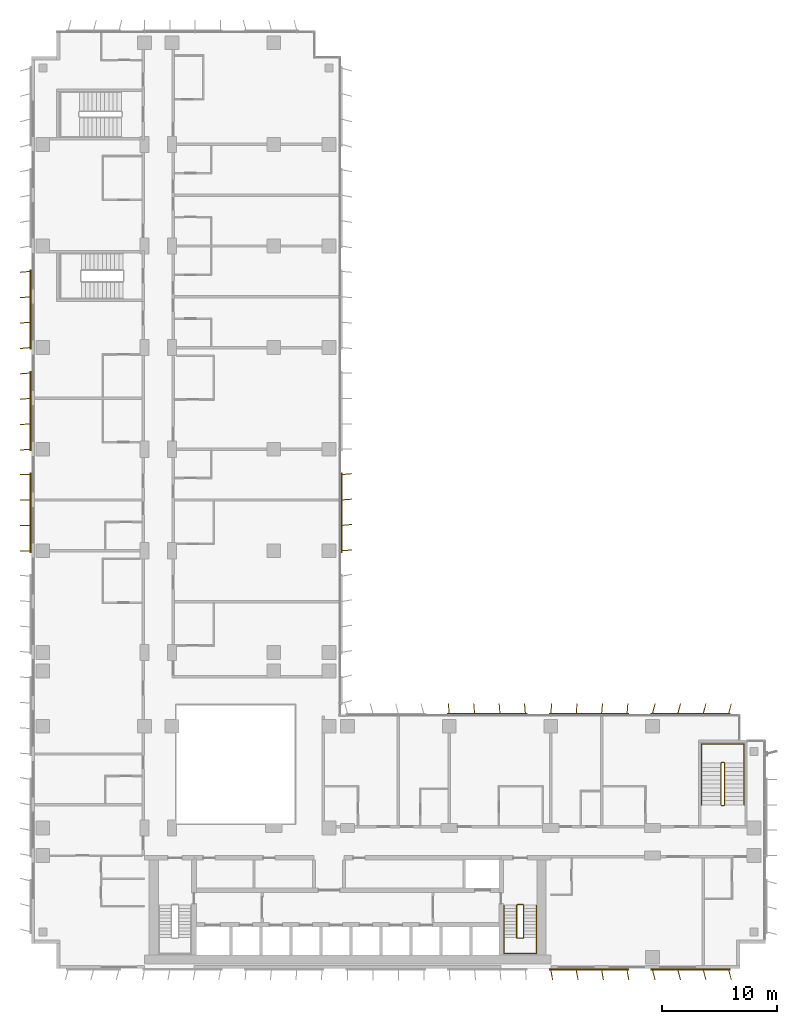
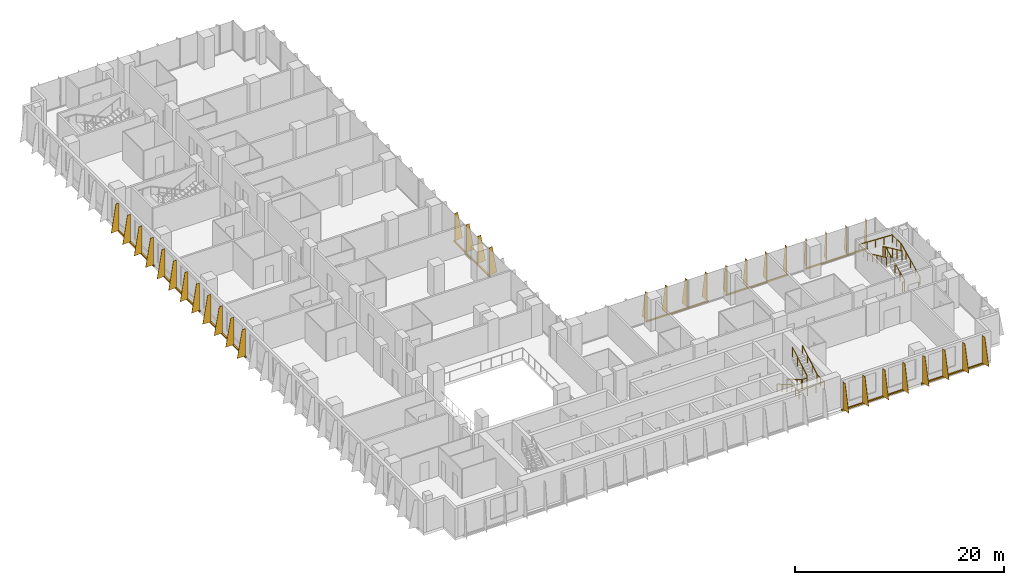
# One storey, part 20 of 22: 9 shading devices, 4 railings.
"""IFC4 building model written with IfcOpenShell, lengths in metres."""

from ifc_helpers import new_model, si_unit, direction, frame, origin, origin_2d, place, context, subcontext, project, spatial, polyline, rectangle, circle, outline, extrude, source, transform, mapped, material, layer, layer_set, type_object, element, save


model = new_model("IFC4")

# Units and contexts
model_context = context("Model", 3, precision=1e-05, world=origin(), true_north=direction((0.0, 1.0)))
body_context = subcontext(model_context, "Body", "Model", "MODEL_VIEW")
ifc_project = project(units=[si_unit("LENGTHUNIT", "METRE"), si_unit("AREAUNIT", "SQUARE_METRE"), si_unit("VOLUMEUNIT", "CUBIC_METRE"), si_unit("PLANEANGLEUNIT", "RADIAN"), si_unit("MASSUNIT", "GRAM", prefix="KILO")], contexts=[model_context])

# Site, building, storey
site_placement = place(None, origin())
site = spatial("IfcSite", under=ifc_project, at=site_placement, CompositionType="ELEMENT")
building_placement = place(site_placement, origin())
building = spatial("IfcBuilding", under=site, at=building_placement, Name="Kemantara Hotel Tower", CompositionType="ELEMENT")
storey_placement = place(building_placement, frame((0.0, 0.0, 90.800048828125)))
storey = spatial("IfcBuildingStorey", under=building, at=storey_placement, Name="L21", CompositionType="ELEMENT", Elevation=90.800048828125)

# Railings
ifc_material_1 = material(Name="Stainless steel balustrade", Category="steel")
railing_type_1 = type_object("IfcRailingType", Name="Stair guard 1100 mm", PredefinedType="GUARDRAIL", material=ifc_material_1)
railing_1_placement = place(storey_placement, frame((42.64990234375, 5.5, 3.699951171875)))
element("IfcRailing", 1, at=railing_1_placement, inside=storey, type_object=railing_type_1, Name="L21 ST2 stair guard 1", PredefinedType="GUARDRAIL", context=body_context, shape_type="SweptSolid", body=[
    extrude(circle(Radius=0.02392578125, at=origin_2d()), frame((0.0, 0.0, 1.076171875), z_axis=(0.0, -0.857242210791, -0.514913383045), x_axis=(1.0, 0.0, 0.0)), (0.0, 0.0, 1.0), 3.266357421875),
    extrude(circle(Radius=0.02392578125, at=origin_2d()), frame((0.0, -2.800048828125, -0.60595703125), z_axis=(-0.273006030465, -0.27434429532, -0.922064485248), x_axis=(0.708833529934, -0.705375805398, 0.0)), (0.0, 0.0, 1.0), 0.182373046875),
    extrude(circle(Radius=0.02392578125, at=origin_2d()), frame((-0.0498046875, -2.85009765625, -0.77392578125), z_axis=(-1.0, 0.0, 0.0), x_axis=(0.0, -1.0, 0.0)), (0.0, 0.0, 1.0), 0.5),
    extrude(circle(Radius=0.02392578125, at=origin_2d()), frame((-0.5498046875, -2.85009765625, -0.77392578125), z_axis=(-0.707106781187, 0.707106781187, 0.0), x_axis=(-0.707106781187, -0.707106781187, 0.0)), (0.0, 0.0, 1.0), 0.07080078125),
    extrude(circle(Radius=0.02392578125, at=origin_2d()), frame((-0.599853515625, -2.800048828125, -0.77392578125), z_axis=(0.0, 0.857275202839, -0.514858452973), x_axis=(-1.0, 0.0, 0.0)), (0.0, 0.0, 1.0), 3.26611328125),
    extrude(circle(Radius=0.02392578125, at=origin_2d()), frame((-0.599853515625, 0.0, -2.45556640625), z_axis=(0.274243871929, 0.274243871929, -0.92172696468), x_axis=(-0.707106781187, 0.707106781187, 0.0)), (0.0, 0.0, 1.0), 0.1826171875),
    extrude(circle(Radius=0.02392578125, at=origin_2d()), frame((-0.5498046875, 0.050048828125, -2.6240234375), z_axis=(1.0, 0.0, 0.0), x_axis=(0.0, 1.0, 0.0)), (0.0, 0.0, 1.0), 0.5),
    extrude(circle(Radius=0.02099609375, at=origin_2d()), origin(), (0.0, 0.0, 1.0), 1.052001953125),
    extrude(circle(Radius=0.02099609375, at=origin_2d()), frame((0.0, -0.933349609375, -0.560546875)), (0.0, 0.0, 1.0), 1.052001953125),
    extrude(circle(Radius=0.02099609375, at=origin_2d()), frame((0.0, -1.86669921875, -1.121337890625)), (0.0, 0.0, 1.0), 1.052001953125),
    extrude(circle(Radius=0.02099609375, at=origin_2d()), frame((0.0, -2.800048828125, -1.681884765625)), (0.0, 0.0, 1.0), 1.052001953125),
    extrude(circle(Radius=0.02099609375, at=origin_2d()), frame((-0.0498046875, -2.85009765625, -1.85009765625)), (0.0, 0.0, 1.0), 1.052001953125),
    extrude(circle(Radius=0.02099609375, at=origin_2d()), frame((-0.5498046875, -2.85009765625, -1.85009765625)), (0.0, 0.0, 1.0), 1.052001953125),
    extrude(circle(Radius=0.02099609375, at=origin_2d()), frame((-0.599853515625, -2.800048828125, -1.85009765625)), (0.0, 0.0, 1.0), 1.052001953125),
    extrude(circle(Radius=0.02099609375, at=origin_2d()), frame((-0.599853515625, -1.86669921875, -2.41064453125)), (0.0, 0.0, 1.0), 1.052001953125),
    extrude(circle(Radius=0.02099609375, at=origin_2d()), frame((-0.599853515625, -0.933349609375, -2.97119140625)), (0.0, 0.0, 1.0), 1.052001953125),
    extrude(circle(Radius=0.02099609375, at=origin_2d()), frame((-0.599853515625, 0.0, -3.53173828125)), (0.0, 0.0, 1.0), 1.052001953125),
    extrude(circle(Radius=0.02099609375, at=origin_2d()), frame((-0.5498046875, 0.050048828125, -3.699951171875)), (0.0, 0.0, 1.0), 1.052001953125),
    extrude(circle(Radius=0.02099609375, at=origin_2d()), frame((-0.0498046875, 0.050048828125, -3.699951171875)), (0.0, 0.0, 1.0), 1.052001953125),
])
railing_2_placement = place(storey_placement, frame((59.75, 14.199951171875, 3.699951171875)))
element("IfcRailing", 2, at=railing_2_placement, inside=storey, type_object=railing_type_1, Name="L21 ST3 stair guard 1", PredefinedType="GUARDRAIL", context=body_context, shape_type="SweptSolid", body=[
    extrude(circle(Radius=0.02392578125, at=origin_2d()), frame((0.0, 0.0, 1.076171875), z_axis=(0.0, 0.906005689286, -0.423265508849), x_axis=(-1.0, 0.0, 0.0)), (0.0, 0.0, 1.0), 3.9736328125),
    extrude(circle(Radius=0.02392578125, at=origin_2d()), frame((0.0, 3.60009765625, -0.60595703125), z_axis=(0.274243871929, 0.274243871929, -0.92172696468), x_axis=(-0.707106781187, 0.707106781187, 0.0)), (0.0, 0.0, 1.0), 0.1826171875),
    extrude(circle(Radius=0.02392578125, at=origin_2d()), frame((0.050048828125, 3.650146484375, -0.77392578125), z_axis=(1.0, 0.0, 0.0), x_axis=(0.0, 1.0, 0.0)), (0.0, 0.0, 1.0), 0.199951171875),
    extrude(circle(Radius=0.02392578125, at=origin_2d()), frame((0.25, 3.650146484375, -0.77392578125), z_axis=(0.707106781187, -0.707106781187, 0.0), x_axis=(0.707106781187, 0.707106781187, 0.0)), (0.0, 0.0, 1.0), 0.07080078125),
    extrude(circle(Radius=0.02392578125, at=origin_2d()), frame((0.300048828125, 3.60009765625, -0.77392578125), z_axis=(0.0, -0.906029249863, -0.423215073447), x_axis=(1.0, 0.0, 0.0)), (0.0, 0.0, 1.0), 3.973388671875),
    extrude(circle(Radius=0.02392578125, at=origin_2d()), frame((0.300048828125, 0.0, -2.45556640625), z_axis=(-0.274243871929, -0.274243871929, -0.92172696468), x_axis=(0.707106781187, -0.707106781187, 0.0)), (0.0, 0.0, 1.0), 0.1826171875),
    extrude(circle(Radius=0.02392578125, at=origin_2d()), frame((0.25, -0.050048828125, -2.6240234375), z_axis=(-1.0, 0.0, 0.0), x_axis=(0.0, -1.0, 0.0)), (0.0, 0.0, 1.0), 0.199951171875),
    extrude(circle(Radius=0.02099609375, at=origin_2d()), origin(), (0.0, 0.0, 1.0), 1.052001953125),
    extrude(circle(Radius=0.02099609375, at=origin_2d()), frame((0.0, 0.89990234375, -0.42041015625)), (0.0, 0.0, 1.0), 1.052001953125),
    extrude(circle(Radius=0.02099609375, at=origin_2d()), frame((0.0, 1.800048828125, -0.8408203125)), (0.0, 0.0, 1.0), 1.052001953125),
    extrude(circle(Radius=0.02099609375, at=origin_2d()), frame((0.0, 2.7001953125, -1.261474609375)), (0.0, 0.0, 1.0), 1.052001953125),
    extrude(circle(Radius=0.02099609375, at=origin_2d()), frame((0.0, 3.60009765625, -1.681884765625)), (0.0, 0.0, 1.0), 1.052001953125),
    extrude(circle(Radius=0.02099609375, at=origin_2d()), frame((0.050048828125, 3.650146484375, -1.85009765625)), (0.0, 0.0, 1.0), 1.052001953125),
    extrude(circle(Radius=0.02099609375, at=origin_2d()), frame((0.25, 3.650146484375, -1.85009765625)), (0.0, 0.0, 1.0), 1.052001953125),
    extrude(circle(Radius=0.02099609375, at=origin_2d()), frame((0.300048828125, 3.60009765625, -1.85009765625)), (0.0, 0.0, 1.0), 1.052001953125),
    extrude(circle(Radius=0.02099609375, at=origin_2d()), frame((0.300048828125, 2.7001953125, -2.2705078125)), (0.0, 0.0, 1.0), 1.052001953125),
    extrude(circle(Radius=0.02099609375, at=origin_2d()), frame((0.300048828125, 1.800048828125, -2.69091796875)), (0.0, 0.0, 1.0), 1.052001953125),
    extrude(circle(Radius=0.02099609375, at=origin_2d()), frame((0.300048828125, 0.89990234375, -3.111328125)), (0.0, 0.0, 1.0), 1.052001953125),
    extrude(circle(Radius=0.02099609375, at=origin_2d()), frame((0.300048828125, 0.0, -3.53173828125)), (0.0, 0.0, 1.0), 1.052001953125),
    extrude(circle(Radius=0.02099609375, at=origin_2d()), frame((0.25, -0.050048828125, -3.699951171875)), (0.0, 0.0, 1.0), 1.052001953125),
    extrude(circle(Radius=0.02099609375, at=origin_2d()), frame((0.050048828125, -0.050048828125, -3.699951171875)), (0.0, 0.0, 1.0), 1.052001953125),
])
railing_type_2 = type_object("IfcRailingType", Name="Stair handrail 900 mm", PredefinedType="HANDRAIL", material=ifc_material_1)
railing_3_placement = place(storey_placement, frame((40.949951171875, 5.5, 0.168212890625)))
element("IfcRailing", 3, at=railing_3_placement, inside=storey, type_object=railing_type_2, Name="L21 ST2 stair handrail 1", PredefinedType="HANDRAIL", context=body_context, shape_type="SweptSolid", body=[
    extrude(circle(Radius=0.02392578125, at=origin_2d()), frame((0.0, 0.0, 0.8759765625), z_axis=(0.0, -0.857275202839, 0.514858452973), x_axis=(1.0, 0.0, 0.0)), (0.0, 0.0, 1.0), 3.26611328125),
    extrude(circle(Radius=0.02392578125, at=origin_2d()), frame((0.0, -2.800048828125, 2.5576171875), z_axis=(0.0, -1.0, 0.0), x_axis=(1.0, 0.0, 0.0)), (0.0, 0.0, 1.0), 1.3798828125),
    extrude(circle(Radius=0.02392578125, at=origin_2d()), frame((0.0, -4.179931640625, 2.5576171875), z_axis=(0.998200367801, 0.0, 0.059966871865), x_axis=(0.0, 1.0, 0.0)), (0.0, 0.0, 1.0), 2.80517578125),
    extrude(circle(Radius=0.02392578125, at=origin_2d()), frame((2.800048828125, -4.179931640625, 2.7255859375), z_axis=(0.0, 1.0, 0.0), x_axis=(-1.0, 0.0, 0.0)), (0.0, 0.0, 1.0), 1.3798828125),
    extrude(circle(Radius=0.02392578125, at=origin_2d()), frame((2.800048828125, -2.800048828125, 2.7255859375), z_axis=(0.0, 0.857242210791, 0.514913383045), x_axis=(-1.0, 0.0, 0.0)), (0.0, 0.0, 1.0), 3.266357421875),
    extrude(circle(Radius=0.02099609375, at=origin_2d()), origin(), (0.0, 0.0, 1.0), 0.851806640625),
    extrude(circle(Radius=0.02099609375, at=origin_2d()), frame((0.0, -0.933349609375, 0.560546875)), (0.0, 0.0, 1.0), 0.851806640625),
    extrude(circle(Radius=0.02099609375, at=origin_2d()), frame((0.0, -1.86669921875, 1.12109375)), (0.0, 0.0, 1.0), 0.851806640625),
    extrude(circle(Radius=0.02099609375, at=origin_2d()), frame((0.0, -2.800048828125, 1.681640625)), (0.0, 0.0, 1.0), 0.851806640625),
    extrude(circle(Radius=0.02099609375, at=origin_2d()), frame((0.0, -3.489990234375, 1.681640625)), (0.0, 0.0, 1.0), 0.851806640625),
    extrude(circle(Radius=0.02099609375, at=origin_2d()), frame((0.0, -4.179931640625, 1.681640625)), (0.0, 0.0, 1.0), 0.851806640625),
    extrude(circle(Radius=0.02099609375, at=origin_2d()), frame((0.933349609375, -4.179931640625, 1.73779296875)), (0.0, 0.0, 1.0), 0.851806640625),
    extrude(circle(Radius=0.02099609375, at=origin_2d()), frame((1.86669921875, -4.179931640625, 1.793701171875)), (0.0, 0.0, 1.0), 0.851806640625),
    extrude(circle(Radius=0.02099609375, at=origin_2d()), frame((2.800048828125, -4.179931640625, 1.849853515625)), (0.0, 0.0, 1.0), 0.851806640625),
    extrude(circle(Radius=0.02099609375, at=origin_2d()), frame((2.800048828125, -3.489990234375, 1.849853515625)), (0.0, 0.0, 1.0), 0.851806640625),
    extrude(circle(Radius=0.02099609375, at=origin_2d()), frame((2.800048828125, -2.800048828125, 1.849853515625)), (0.0, 0.0, 1.0), 0.851806640625),
    extrude(circle(Radius=0.02099609375, at=origin_2d()), frame((2.800048828125, -1.86669921875, 2.410400390625)), (0.0, 0.0, 1.0), 0.851806640625),
    extrude(circle(Radius=0.02099609375, at=origin_2d()), frame((2.800048828125, -0.933349609375, 2.97119140625)), (0.0, 0.0, 1.0), 0.851806640625),
    extrude(circle(Radius=0.02099609375, at=origin_2d()), frame((2.800048828125, 0.0, 3.53173828125)), (0.0, 0.0, 1.0), 0.851806640625),
])
railing_4_placement = place(storey_placement, frame((61.75, 14.199951171875, 0.168212890625)))
element("IfcRailing", 4, at=railing_4_placement, inside=storey, type_object=railing_type_2, Name="L21 ST3 stair handrail 1", PredefinedType="HANDRAIL", context=body_context, shape_type="SweptSolid", body=[
    extrude(circle(Radius=0.02392578125, at=origin_2d()), frame((0.0, 0.0, 0.8759765625), z_axis=(0.0, 0.906029249863, 0.423215073447), x_axis=(-1.0, 0.0, 0.0)), (0.0, 0.0, 1.0), 3.973388671875),
    extrude(circle(Radius=0.02392578125, at=origin_2d()), frame((0.0, 3.60009765625, 2.5576171875), z_axis=(0.0, 1.0, 0.0), x_axis=(-1.0, 0.0, 0.0)), (0.0, 0.0, 1.0), 1.679931640625),
    extrude(circle(Radius=0.02392578125, at=origin_2d()), frame((0.0, 5.280029296875, 2.5576171875), z_axis=(-0.998968132438, 0.0, 0.045416631029), x_axis=(0.0, -1.0, 0.0)), (0.0, 0.0, 1.0), 3.703857421875),
    extrude(circle(Radius=0.02392578125, at=origin_2d()), frame((-3.699951171875, 5.280029296875, 2.7255859375), z_axis=(0.0, -1.0, 0.0), x_axis=(1.0, 0.0, 0.0)), (0.0, 0.0, 1.0), 1.679931640625),
    extrude(circle(Radius=0.02392578125, at=origin_2d()), frame((-3.699951171875, 3.60009765625, 2.7255859375), z_axis=(0.0, -0.906005689286, 0.423265508849), x_axis=(1.0, 0.0, 0.0)), (0.0, 0.0, 1.0), 3.9736328125),
    extrude(circle(Radius=0.02099609375, at=origin_2d()), origin(), (0.0, 0.0, 1.0), 0.851806640625),
    extrude(circle(Radius=0.02099609375, at=origin_2d()), frame((0.0, 0.89990234375, 0.42041015625)), (0.0, 0.0, 1.0), 0.851806640625),
    extrude(circle(Radius=0.02099609375, at=origin_2d()), frame((0.0, 1.800048828125, 0.8408203125)), (0.0, 0.0, 1.0), 0.851806640625),
    extrude(circle(Radius=0.02099609375, at=origin_2d()), frame((0.0, 2.7001953125, 1.26123046875)), (0.0, 0.0, 1.0), 0.851806640625),
    extrude(circle(Radius=0.02099609375, at=origin_2d()), frame((0.0, 3.60009765625, 1.681640625)), (0.0, 0.0, 1.0), 0.851806640625),
    extrude(circle(Radius=0.02099609375, at=origin_2d()), frame((0.0, 4.43994140625, 1.681640625)), (0.0, 0.0, 1.0), 0.851806640625),
    extrude(circle(Radius=0.02099609375, at=origin_2d()), frame((0.0, 5.280029296875, 1.681640625)), (0.0, 0.0, 1.0), 0.851806640625),
    extrude(circle(Radius=0.02099609375, at=origin_2d()), frame((-0.925048828125, 5.280029296875, 1.7236328125)), (0.0, 0.0, 1.0), 0.851806640625),
    extrude(circle(Radius=0.02099609375, at=origin_2d()), frame((-1.85009765625, 5.280029296875, 1.765625)), (0.0, 0.0, 1.0), 0.851806640625),
    extrude(circle(Radius=0.02099609375, at=origin_2d()), frame((-2.77490234375, 5.280029296875, 1.807861328125)), (0.0, 0.0, 1.0), 0.851806640625),
    extrude(circle(Radius=0.02099609375, at=origin_2d()), frame((-3.699951171875, 5.280029296875, 1.849853515625)), (0.0, 0.0, 1.0), 0.851806640625),
    extrude(circle(Radius=0.02099609375, at=origin_2d()), frame((-3.699951171875, 4.43994140625, 1.849853515625)), (0.0, 0.0, 1.0), 0.851806640625),
    extrude(circle(Radius=0.02099609375, at=origin_2d()), frame((-3.699951171875, 3.60009765625, 1.849853515625)), (0.0, 0.0, 1.0), 0.851806640625),
    extrude(circle(Radius=0.02099609375, at=origin_2d()), frame((-3.699951171875, 2.7001953125, 2.270263671875)), (0.0, 0.0, 1.0), 0.851806640625),
    extrude(circle(Radius=0.02099609375, at=origin_2d()), frame((-3.699951171875, 1.800048828125, 2.69091796875)), (0.0, 0.0, 1.0), 0.851806640625),
    extrude(circle(Radius=0.02099609375, at=origin_2d()), frame((-3.699951171875, 0.89990234375, 3.111328125)), (0.0, 0.0, 1.0), 0.851806640625),
    extrude(circle(Radius=0.02099609375, at=origin_2d()), frame((-3.699951171875, 0.0, 3.53173828125)), (0.0, 0.0, 1.0), 0.851806640625),
])

# Shading devices
ifc_material_2 = material(Name="Perforated aluminium plate 4 mm bronze anodised", Category="aluminium")
ifc_layer_1 = layer(ifc_material_2, 0.0400390625)
ifc_layer_set_1 = layer_set([ifc_layer_1], Name="Perforated aluminium plate 4 mm bronze anodised")
shading_device_type_1 = type_object("IfcShadingDeviceType", Name="SCREEN FIN CASSETTE, 4 BLADES AT -5.0 DEG, 3200 HIGH", PredefinedType="USERDEFINED", material=ifc_layer_set_1)
shared_shape_1 = source(origin(), body_context, "Body", "SweptSolid", [
    extrude(rectangle(XDim=6.89990234375, YDim=0.14990234375, at=origin_2d()), frame((3.300048828125, -0.074951171875, -0.14990234375), z_axis=(0.0, 0.0, 1.0), x_axis=(1.0, 0.0, 0.0)), (0.0, 0.0, 1.0), 0.14990234375),
    extrude(outline(polyline([(0.0, 0.0), (0.89990234375, 0.0), (0.35009765625, 3.199951171875), (0.0, 3.199951171875), (0.0, 0.0)])), frame((0.02001953125, -0.07666015625, 0.0), z_axis=(-0.996376129781, 0.085056498884, 0.0), x_axis=(-0.085056498884, -0.996376129781, 0.0)), (0.0, 0.0, 1.0), 0.040283203125),
    extrude(outline(polyline([(0.0, 0.0), (0.89990234375, 0.0), (0.35009765625, 3.199951171875), (0.0, 3.199951171875), (0.0, 0.0)])), frame((2.219970703125, -0.07666015625, 0.0), z_axis=(-0.996331773833, 0.085574508182, 0.0), x_axis=(-0.085574508182, -0.996331773833, 0.0)), (0.0, 0.0, 1.0), 0.0400390625),
    extrude(outline(polyline([(0.0, 0.0), (0.89990234375, 0.0), (0.35009765625, 3.199951171875), (0.0, 3.199951171875), (0.0, 0.0)])), frame((4.419921875, -0.07666015625, 0.0), z_axis=(-0.996331773833, 0.085574508182, 0.0), x_axis=(-0.085574508182, -0.996331773833, 0.0)), (0.0, 0.0, 1.0), 0.0400390625),
    extrude(outline(polyline([(0.0, 0.0), (0.89990234375, 0.0), (0.35009765625, 3.199951171875), (0.0, 3.199951171875), (0.0, 0.0)])), frame((6.619873046875, -0.07666015625, 0.0), z_axis=(-0.996331773833, 0.085574508182, 0.0), x_axis=(-0.085574508182, -0.996331773833, 0.0)), (0.0, 0.0, 1.0), 0.0400390625),
])
shading_device_1_placement = place(storey_placement, frame((51.60009765625, 22.0, 0.099853515625), z_axis=(0.0, 0.0, 1.0), x_axis=(-1.0, 0.0, 0.0)))
element("IfcShadingDevice", 5, at=shading_device_1_placement, inside=storey, type_object=shading_device_type_1, Name="SCREEN FIN CASSETTE L21 T2-R13-2", ObjectType="SCREEN FIN", PredefinedType="USERDEFINED", context=body_context, shape_type="MappedRepresentation", body=[
    mapped(shared_shape_1, transform((0.0, 0.0, 0.0))),
])
ifc_layer_2 = layer(ifc_material_2, 0.0400390625)
ifc_layer_set_2 = layer_set([ifc_layer_2], Name="Perforated aluminium plate 4 mm bronze anodised")
shading_device_type_2 = type_object("IfcShadingDeviceType", Name="SCREEN FIN CASSETTE, 4 BLADES AT +0.0 DEG, 3200 HIGH", PredefinedType="USERDEFINED", material=ifc_layer_set_2)
shared_shape_2 = source(origin(), body_context, "Body", "SweptSolid", [
    extrude(rectangle(XDim=6.89990234375, YDim=0.14990234375, at=origin_2d()), frame((3.300048828125, -0.074951171875, -0.14990234375), z_axis=(0.0, 0.0, 1.0), x_axis=(1.0, 0.0, 0.0)), (0.0, 0.0, 1.0), 0.14990234375),
    extrude(outline(polyline([(0.0, 0.0), (0.89990234375, 0.0), (0.35009765625, 3.199951171875), (0.0, 3.199951171875), (0.0, 0.0)])), frame((0.02001953125, -0.074951171875, 0.0), z_axis=(-1.0, 0.0, 0.0), x_axis=(0.0, -1.0, 0.0)), (0.0, 0.0, 1.0), 0.0400390625),
    extrude(outline(polyline([(0.0, 0.0), (0.89990234375, 0.0), (0.35009765625, 3.199951171875), (0.0, 3.199951171875), (0.0, 0.0)])), frame((2.219970703125, -0.074951171875, 0.0), z_axis=(-1.0, 0.0, 0.0), x_axis=(0.0, -1.0, 0.0)), (0.0, 0.0, 1.0), 0.0400390625),
    extrude(outline(polyline([(0.0, 0.0), (0.89990234375, 0.0), (0.35009765625, 3.199951171875), (0.0, 3.199951171875), (0.0, 0.0)])), frame((4.419921875, -0.074951171875, 0.0), z_axis=(-1.0, 0.0, 0.0), x_axis=(0.0, -1.0, 0.0)), (0.0, 0.0, 1.0), 0.0400390625),
    extrude(outline(polyline([(0.0, 0.0), (0.89990234375, 0.0), (0.35009765625, 3.199951171875), (0.0, 3.199951171875), (0.0, 0.0)])), frame((6.6201171875, -0.074951171875, 0.0), z_axis=(-1.0, 0.0, 0.0), x_axis=(0.0, -1.0, 0.0)), (0.0, 0.0, 1.0), 0.0400390625),
])
shading_device_2_placement = place(storey_placement, frame((0.0, 42.800048828125, 0.099853515625), z_axis=(0.0, 0.0, 1.0), x_axis=(0.0, -1.0, 0.0)))
element("IfcShadingDevice", 6, at=shading_device_2_placement, inside=storey, type_object=shading_device_type_2, Name="SCREEN FIN CASSETTE L21 T2-R04-5", ObjectType="SCREEN FIN", PredefinedType="USERDEFINED", context=body_context, shape_type="MappedRepresentation", body=[
    mapped(shared_shape_2, transform((0.0, 0.0, 0.0))),
])
ifc_layer_3 = layer(ifc_material_2, 0.0400390625)
ifc_layer_set_3 = layer_set([ifc_layer_3], Name="Perforated aluminium plate 4 mm bronze anodised")
shading_device_type_3 = type_object("IfcShadingDeviceType", Name="SCREEN FIN CASSETTE, 4 BLADES AT +5.0 DEG, 3200 HIGH", PredefinedType="USERDEFINED", material=ifc_layer_set_3)
shared_shape_3 = source(origin(), body_context, "Body", "SweptSolid", [
    extrude(rectangle(XDim=6.89990234375, YDim=0.14990234375, at=origin_2d()), frame((3.300048828125, -0.074951171875, -0.14990234375), z_axis=(0.0, 0.0, 1.0), x_axis=(1.0, 0.0, 0.0)), (0.0, 0.0, 1.0), 0.14990234375),
    extrude(outline(polyline([(0.0, 0.0), (0.89990234375, 0.0), (0.35009765625, 3.199951171875), (0.0, 3.199951171875), (0.0, 0.0)])), frame((0.02001953125, -0.0732421875, 0.0), z_axis=(-0.996376129781, -0.085056498884, 0.0), x_axis=(0.085056498884, -0.996376129781, 0.0)), (0.0, 0.0, 1.0), 0.040283203125),
    extrude(outline(polyline([(0.0, 0.0), (0.89990234375, 0.0), (0.35009765625, 3.199951171875), (0.0, 3.199951171875), (0.0, 0.0)])), frame((2.219970703125, -0.0732421875, 0.0), z_axis=(-0.996331773833, -0.085574508182, 0.0), x_axis=(0.085574508182, -0.996331773833, 0.0)), (0.0, 0.0, 1.0), 0.0400390625),
    extrude(outline(polyline([(0.0, 0.0), (0.89990234375, 0.0), (0.35009765625, 3.199951171875), (0.0, 3.199951171875), (0.0, 0.0)])), frame((4.419921875, -0.0732421875, 0.0), z_axis=(-0.996331773833, -0.085574508182, 0.0), x_axis=(0.085574508182, -0.996331773833, 0.0)), (0.0, 0.0, 1.0), 0.0400390625),
    extrude(outline(polyline([(0.0, 0.0), (0.89990234375, 0.0), (0.35009765625, 3.199951171875), (0.0, 3.199951171875), (0.0, 0.0)])), frame((6.619873046875, -0.0732421875, 0.0), z_axis=(-0.996331773833, -0.085574508182, 0.0), x_axis=(0.085574508182, -0.996331773833, 0.0)), (0.0, 0.0, 1.0), 0.0400390625),
])
for number, where, z_axis, x_axis, name in (
    (7, (0.0, 60.39990234375, 0.099853515625), (0.0, 0.0, 1.0), (0.0, -1.0, 0.0), "SCREEN FIN CASSETTE L21 T2-R04-3"),
    (8, (0.0, 51.60009765625, 0.099853515625), (0.0, 0.0, 1.0), (0.0, -1.0, 0.0), "SCREEN FIN CASSETTE L21 T2-R04-4"),
    (9, (42.800048828125, 22.0, 0.099853515625), (0.0, 0.0, 1.0), (-1.0, 0.0, 0.0), "SCREEN FIN CASSETTE L21 T2-R13-3"),
    (10, (26.800048828125, 36.199951171875, 0.099853515625), (0.0, 0.0, 1.0), (0.0, 1.0, 0.0), "SCREEN FIN CASSETTE L21 T2-R14-3"),
):
    element("IfcShadingDevice", number, at=place(storey_placement, frame(where, z_axis=z_axis, x_axis=x_axis)), inside=storey, type_object=shading_device_type_3, Name=name, ObjectType="SCREEN FIN", PredefinedType="USERDEFINED", context=body_context, shape_type="MappedRepresentation", body=[
        mapped(shared_shape_3, transform((0.0, 0.0, 0.0))),
    ])
ifc_layer_4 = layer(ifc_material_2, 0.0400390625)
ifc_layer_set_4 = layer_set([ifc_layer_4], Name="Perforated aluminium plate 4 mm bronze anodised")
shading_device_type_4 = type_object("IfcShadingDeviceType", Name="SCREEN FIN CASSETTE, 4 BLADES AT +10.0 DEG, 3200 HIGH", PredefinedType="USERDEFINED", material=ifc_layer_set_4)
shared_shape_4 = source(origin(), body_context, "Body", "SweptSolid", [
    extrude(rectangle(XDim=6.89990234375, YDim=0.14990234375, at=origin_2d()), frame((3.300048828125, -0.074951171875, -0.14990234375), z_axis=(0.0, 0.0, 1.0), x_axis=(1.0, 0.0, 0.0)), (0.0, 0.0, 1.0), 0.14990234375),
    extrude(outline(polyline([(0.0, 0.0), (0.89990234375, 0.0), (0.35009765625, 3.199951171875), (0.0, 3.199951171875), (0.0, 0.0)])), frame((0.019775390625, -0.071533203125, 0.0), z_axis=(-0.985389793052, -0.170314285219, 0.0), x_axis=(0.170314285219, -0.985389793052, 0.0)), (0.0, 0.0, 1.0), 0.0400390625),
    extrude(outline(polyline([(0.0, 0.0), (0.89990234375, 0.0), (0.35009765625, 3.199951171875), (0.0, 3.199951171875), (0.0, 0.0)])), frame((2.2197265625, -0.071533203125, 0.0), z_axis=(-0.98521175482, -0.171341174751, 0.0), x_axis=(0.171341174751, -0.98521175482, 0.0)), (0.0, 0.0, 1.0), 0.039794921875),
    extrude(outline(polyline([(0.0, 0.0), (0.89990234375, 0.0), (0.35009765625, 3.199951171875), (0.0, 3.199951171875), (0.0, 0.0)])), frame((4.419677734375, -0.071533203125, 0.0), z_axis=(-0.98521175482, -0.171341174751, 0.0), x_axis=(0.171341174751, -0.98521175482, 0.0)), (0.0, 0.0, 1.0), 0.039794921875),
    extrude(outline(polyline([(0.0, 0.0), (0.89990234375, 0.0), (0.35009765625, 3.199951171875), (0.0, 3.199951171875), (0.0, 0.0)])), frame((6.61962890625, -0.071533203125, 0.0), z_axis=(-0.98521175482, -0.171341174751, 0.0), x_axis=(0.171341174751, -0.98521175482, 0.0)), (0.0, 0.0, 1.0), 0.039794921875),
])
shading_device_3_placement = place(storey_placement, frame((45.0, 0.0, 0.099853515625), z_axis=(0.0, 0.0, 1.0), x_axis=(1.0, 0.0, 0.0)))
element("IfcShadingDevice", 11, at=shading_device_3_placement, inside=storey, type_object=shading_device_type_4, Name="SCREEN FIN CASSETTE L21 T2-R07-6", ObjectType="SCREEN FIN", PredefinedType="USERDEFINED", context=body_context, shape_type="MappedRepresentation", body=[
    mapped(shared_shape_4, transform((0.0, 0.0, 0.0))),
])
ifc_layer_5 = layer(ifc_material_2, 0.0400390625)
ifc_layer_set_5 = layer_set([ifc_layer_5], Name="Perforated aluminium plate 4 mm bronze anodised")
shading_device_type_5 = type_object("IfcShadingDeviceType", Name="SCREEN FIN CASSETTE, 4 BLADES AT +15.0 DEG, 3200 HIGH", PredefinedType="USERDEFINED", material=ifc_layer_set_5)
shared_shape_5 = source(origin(), body_context, "Body", "SweptSolid", [
    extrude(rectangle(XDim=6.89990234375, YDim=0.14990234375, at=origin_2d()), frame((3.300048828125, -0.074951171875, -0.14990234375), z_axis=(0.0, 0.0, 1.0), x_axis=(1.0, 0.0, 0.0)), (0.0, 0.0, 1.0), 0.14990234375),
    extrude(outline(polyline([(0.0, 0.0), (0.89990234375, 0.0), (0.35009765625, 3.199951171875), (0.0, 3.199951171875), (0.0, 0.0)])), frame((0.019287109375, -0.06982421875, 0.0), z_axis=(-0.966437683387, -0.256901156343, 0.0), x_axis=(0.256901156343, -0.966437683387, 0.0)), (0.0, 0.0, 1.0), 0.039794921875),
    extrude(outline(polyline([(0.0, 0.0), (0.89990234375, 0.0), (0.35009765625, 3.199951171875), (0.0, 3.199951171875), (0.0, 0.0)])), frame((2.21923828125, -0.06982421875, 0.0), z_axis=(-0.966437683387, -0.256901156343, 0.0), x_axis=(0.256901156343, -0.966437683387, 0.0)), (0.0, 0.0, 1.0), 0.039794921875),
    extrude(outline(polyline([(0.0, 0.0), (0.89990234375, 0.0), (0.35009765625, 3.199951171875), (0.0, 3.199951171875), (0.0, 0.0)])), frame((4.41943359375, -0.06982421875, 0.0), z_axis=(-0.966837822169, -0.255391122837, 0.0), x_axis=(0.255391122837, -0.966837822169, 0.0)), (0.0, 0.0, 1.0), 0.0400390625),
    extrude(outline(polyline([(0.0, 0.0), (0.89990234375, 0.0), (0.35009765625, 3.199951171875), (0.0, 3.199951171875), (0.0, 0.0)])), frame((6.619384765625, -0.06982421875, 0.0), z_axis=(-0.966837822169, -0.255391122837, 0.0), x_axis=(0.255391122837, -0.966837822169, 0.0)), (0.0, 0.0, 1.0), 0.0400390625),
])
shading_device_4_placement = place(storey_placement, frame((53.800048828125, 0.0, 0.099853515625), z_axis=(0.0, 0.0, 1.0), x_axis=(1.0, 0.0, 0.0)))
element("IfcShadingDevice", 12, at=shading_device_4_placement, inside=storey, type_object=shading_device_type_5, Name="SCREEN FIN CASSETTE L21 T2-R07-7", ObjectType="SCREEN FIN", PredefinedType="USERDEFINED", context=body_context, shape_type="MappedRepresentation", body=[
    mapped(shared_shape_5, transform((0.0, 0.0, 0.0))),
])
ifc_layer_6 = layer(ifc_material_2, 0.0400390625)
ifc_layer_set_6 = layer_set([ifc_layer_6], Name="Perforated aluminium plate 4 mm bronze anodised")
shading_device_type_6 = type_object("IfcShadingDeviceType", Name="SCREEN FIN CASSETTE, 4 BLADES AT -15.0 DEG, 3200 HIGH", PredefinedType="USERDEFINED", material=ifc_layer_set_6)
shared_shape_6 = source(origin(), body_context, "Body", "SweptSolid", [
    extrude(rectangle(XDim=6.89990234375, YDim=0.14990234375, at=origin_2d()), frame((3.300048828125, -0.074951171875, -0.14990234375), z_axis=(0.0, 0.0, 1.0), x_axis=(1.0, 0.0, 0.0)), (0.0, 0.0, 1.0), 0.14990234375),
    extrude(outline(polyline([(0.0, 0.0), (0.89990234375, 0.0), (0.35009765625, 3.199951171875), (0.0, 3.199951171875), (0.0, 0.0)])), frame((0.019287109375, -0.080078125, 0.0), z_axis=(-0.966437683387, 0.256901156343, 0.0), x_axis=(-0.256901156343, -0.966437683387, 0.0)), (0.0, 0.0, 1.0), 0.039794921875),
    extrude(outline(polyline([(0.0, 0.0), (0.89990234375, 0.0), (0.35009765625, 3.199951171875), (0.0, 3.199951171875), (0.0, 0.0)])), frame((2.21923828125, -0.080078125, 0.0), z_axis=(-0.966437683387, 0.256901156343, 0.0), x_axis=(-0.256901156343, -0.966437683387, 0.0)), (0.0, 0.0, 1.0), 0.039794921875),
    extrude(outline(polyline([(0.0, 0.0), (0.89990234375, 0.0), (0.35009765625, 3.199951171875), (0.0, 3.199951171875), (0.0, 0.0)])), frame((4.41943359375, -0.080078125, 0.0), z_axis=(-0.966837822169, 0.255391122837, 0.0), x_axis=(-0.255391122837, -0.966837822169, 0.0)), (0.0, 0.0, 1.0), 0.0400390625),
    extrude(outline(polyline([(0.0, 0.0), (0.89990234375, 0.0), (0.35009765625, 3.199951171875), (0.0, 3.199951171875), (0.0, 0.0)])), frame((6.619384765625, -0.080078125, 0.0), z_axis=(-0.966837822169, 0.255391122837, 0.0), x_axis=(-0.255391122837, -0.966837822169, 0.0)), (0.0, 0.0, 1.0), 0.0400390625),
])
shading_device_5_placement = place(storey_placement, frame((60.39990234375, 22.0, 0.099853515625), z_axis=(0.0, 0.0, 1.0), x_axis=(-1.0, 0.0, 0.0)))
element("IfcShadingDevice", 13, at=shading_device_5_placement, inside=storey, type_object=shading_device_type_6, Name="SCREEN FIN CASSETTE L21 T2-R13-1", ObjectType="SCREEN FIN", PredefinedType="USERDEFINED", context=body_context, shape_type="MappedRepresentation", body=[
    mapped(shared_shape_6, transform((0.0, 0.0, 0.0))),
])

save(model, "model.ifc")
